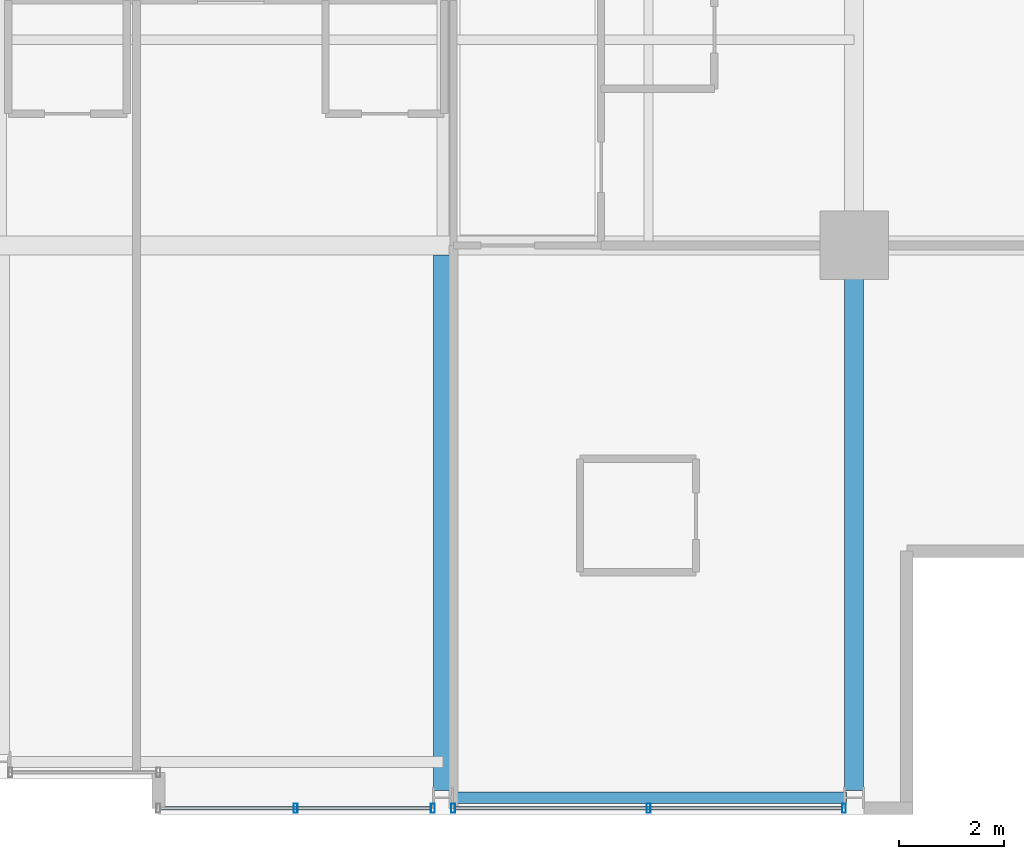
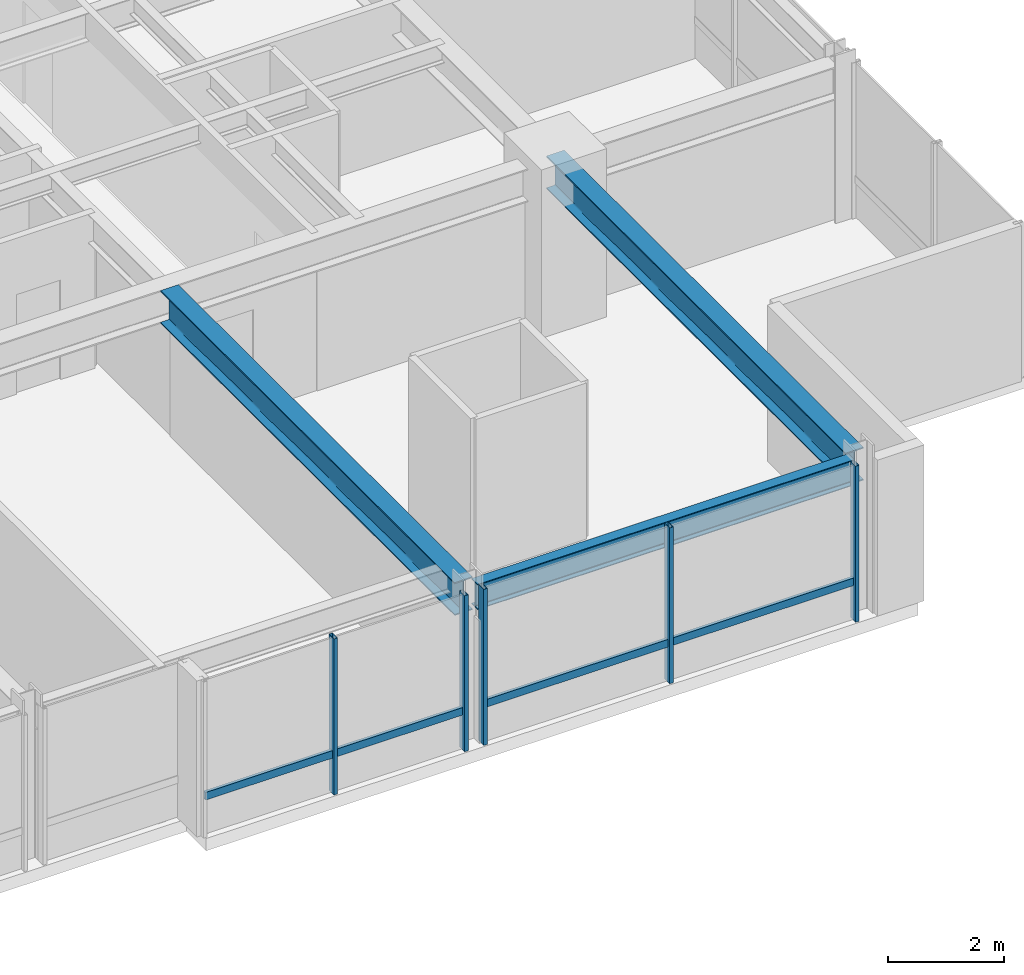
# One storey, part 11 of 33: 7 members, 3 beams, 2 elements without a shape of their own.
"""IFC4 building model written with IfcOpenShell, lengths in metres."""

import ifcopenshell
import ifcopenshell.guid

model = None  # the IFC model being written
_history = None  # IfcOwnerHistory: only IFC2X3 demands one
_inside = {}  # id of a spatial element -> (the spatial element, [elements in it])
_under = {}  # id of a project, library or spatial element -> (it, [spatial elements below it])
_declared = {}  # id of a project -> (the project, [libraries it declares])
_typed = {}  # id of a type object -> (the type object, [elements of that type])
_made_of = {}  # id of a material, layer set ... -> (it, [elements and type objects made of it])


def new_model(schema):
    """Start an empty IFC model of exactly this schema.

    Asked for "IFC4X3", IfcOpenShell would pick the latest addendum, in which some entities
    have other attributes; the version numbers below select the first issue.
    IFC2X3 requires an IfcOwnerHistory on every rooted entity: one is made here for all.
    """
    global model, _history
    if schema == "IFC4X3":
        model = ifcopenshell.file(schema_version=(4, 3, 0, 0))
    else:
        model = ifcopenshell.file(schema=schema)
    _inside.clear()
    _under.clear()
    _declared.clear()
    _typed.clear()
    _made_of.clear()
    _history = None
    if model.schema == "IFC2X3":
        org = make("IfcOrganization", Name="unknown")
        user = make(
            "IfcPersonAndOrganization",
            ThePerson=make("IfcPerson", FamilyName="unknown"),
            TheOrganization=org,
        )
        app = make(
            "IfcApplication",
            ApplicationDeveloper=org,
            Version="unknown",
            ApplicationFullName="unknown",
            ApplicationIdentifier="unknown",
        )
        _history = make(
            "IfcOwnerHistory",
            OwningUser=user,
            OwningApplication=app,
            ChangeAction="ADDED",
            CreationDate=0,
        )
    return model


def make(cls, **values):
    """One entity of the class cls with the attributes given. An attribute that is None is left unset."""
    return model.create_entity(
        cls, **{name: value for name, value in values.items() if value is not None}
    )


def rooted(cls, **values):
    """An entity with a GlobalId (a new one), such as an element, a storey or a relation."""
    return make(cls, GlobalId=ifcopenshell.guid.new(), OwnerHistory=_history, **values)


def si_unit(unit_type, name, prefix=None):
    """IfcSIUnit, for example si_unit("LENGTHUNIT", "METRE", prefix="MILLI")."""
    return make("IfcSIUnit", UnitType=unit_type, Prefix=prefix, Name=name)


def assignment(units):
    """IfcUnitAssignment: the units of a project."""
    return None if units is None else make("IfcUnitAssignment", Units=units)


def point(xyz):
    """IfcCartesianPoint."""
    return None if xyz is None else make("IfcCartesianPoint", Coordinates=xyz)


def direction(xyz):
    """IfcDirection."""
    return None if xyz is None else make("IfcDirection", DirectionRatios=xyz)


def frame(location, z_axis=None, x_axis=None):
    """IfcAxis2Placement3D, a coordinate frame: its origin and axes. An axis left out is left unset."""
    return make(
        "IfcAxis2Placement3D",
        Location=point(location),
        Axis=direction(z_axis),
        RefDirection=direction(x_axis),
    )


def frame_2d(location, x_axis=None):
    """IfcAxis2Placement2D, a coordinate frame in the plane: its origin and x axis."""
    return make(
        "IfcAxis2Placement2D", Location=point(location), RefDirection=direction(x_axis)
    )


def origin():
    """The frame at (0, 0, 0) with its axes left unset."""
    return frame((0.0, 0.0, 0.0))


def origin_2d():
    """The frame at (0, 0) in the plane with its x axis left unset."""
    return frame_2d((0.0, 0.0))


def place(relative_to, where):
    """IfcLocalPlacement: puts the frame where relative to a parent placement (None: the world)."""
    return make(
        "IfcLocalPlacement", PlacementRelTo=relative_to, RelativePlacement=where
    )


def context(
    kind, dimensions, precision=None, world=None, true_north=None, identifier=None
):
    """IfcGeometricRepresentationContext, for example the 3D "Model" context."""
    return make(
        "IfcGeometricRepresentationContext",
        ContextIdentifier=identifier,
        ContextType=kind,
        CoordinateSpaceDimension=dimensions,
        Precision=precision,
        WorldCoordinateSystem=world,
        TrueNorth=true_north,
    )


def subcontext(parent, identifier, kind, view, scale=None):
    """IfcGeometricRepresentationSubContext, for example "Body" below "Model"."""
    return make(
        "IfcGeometricRepresentationSubContext",
        ContextIdentifier=identifier,
        ContextType=kind,
        ParentContext=parent,
        TargetScale=scale,
        TargetView=view,
    )


def project(units=None, contexts=None):
    """IfcProject with its units and contexts."""
    return rooted(
        "IfcProject",
        Name="project",
        RepresentationContexts=contexts,
        UnitsInContext=assignment(units),
    )


def spatial(cls, under=None, at=None, **own):
    """A site, building, storey or space (cls), placed at a placement, below another one or the project."""
    s = rooted(cls, ObjectPlacement=at, **own)
    if under is not None:
        _under.setdefault(under.id(), (under, []))[1].append(s)
    return s


def profile(cls, at=None, kind="AREA", **sizes):
    """A parametric profile (cls). Its sizes go by their IFC names, for example OverallWidth=200.0."""
    return make(cls, ProfileType=kind, Position=at, **sizes)


def hollow_rectangle(**sizes):
    """IfcRectangleHollowProfileDef."""
    return profile("IfcRectangleHollowProfileDef", **sizes)


def i_section(**sizes):
    """IfcIShapeProfileDef."""
    return profile("IfcIShapeProfileDef", **sizes)


def extrude(swept, where, along, depth):
    """IfcExtrudedAreaSolid: the profile swept, set in the frame where, extruded along a direction by depth."""
    return make(
        "IfcExtrudedAreaSolid",
        SweptArea=swept,
        Position=where,
        ExtrudedDirection=direction(along),
        Depth=depth,
    )


def shape(context_of_items, identifier, shape_type, items):
    """IfcShapeRepresentation: the items that make up one representation, for example the "Body"."""
    return make(
        "IfcShapeRepresentation",
        ContextOfItems=context_of_items,
        RepresentationIdentifier=identifier,
        RepresentationType=shape_type,
        Items=items,
    )


def material(Name=None, Category=None):
    """IfcMaterial."""
    return make("IfcMaterial", Name=Name, Category=Category)


def layer(
    of_material, thickness, ventilated=None, Name=None, Category=None, Priority=None
):
    """IfcMaterialLayer: one layer of a wall or slab, of a material (None: an air gap)."""
    return make(
        "IfcMaterialLayer",
        Material=of_material,
        LayerThickness=thickness,
        IsVentilated=ventilated,
        Name=Name,
        Category=Category,
        Priority=Priority,
    )


def layer_set(layers, Name=None):
    """IfcMaterialLayerSet."""
    return make("IfcMaterialLayerSet", MaterialLayers=layers, LayerSetName=Name)


def material_profile(
    of_material, cross_section, Name=None, Category=None, Priority=None
):
    """IfcMaterialProfile: a cross section and its material."""
    return make(
        "IfcMaterialProfile",
        Name=Name,
        Material=of_material,
        Profile=cross_section,
        Priority=Priority,
        Category=Category,
    )


def profile_set(profiles, Name=None, composite=None):
    """IfcMaterialProfileSet."""
    return make(
        "IfcMaterialProfileSet",
        Name=Name,
        MaterialProfiles=profiles,
        CompositeProfile=composite,
    )


def made_of(thing, what):
    """Note that an element or type object is made of a material, layer set ...; save() writes the relation."""
    if what is not None:
        _made_of.setdefault(what.id(), (what, []))[1].append(thing)
    return thing


def type_object(cls, material=None, **own):
    """A type object (cls), such as IfcWallType, which elements share."""
    return made_of(rooted(cls, **own), material)


def element(
    cls,
    number,
    at=None,
    inside=None,
    cuts=None,
    type_object=None,
    material=None,
    context=None,
    identifier="Body",
    shape_type=None,
    held_by="IfcProductDefinitionShape",
    body=None,
    shapes=None,
    **own,
):
    """One element of the class cls, such as IfcWall. Its Tag is "e" and its number.

    at: its placement. inside: the storey or other place that contains it. cuts: it is an
    opening in that element (IfcRelVoidsElement). A single representation is given by context,
    identifier, shape_type and body (its items); several are given by shapes. held_by: the class
    of the entity that holds the representations. save() writes the other relations.
    """
    e = rooted(cls, Tag="e%d" % number, ObjectPlacement=at, **own)
    if body is not None:
        shapes = [shape(context, identifier, shape_type, body)]
    if shapes is not None:
        e.Representation = make(held_by, Representations=shapes)
    if inside is not None:
        _inside.setdefault(inside.id(), (inside, []))[1].append(e)
    if cuts is not None:
        rooted(
            "IfcRelVoidsElement", RelatingBuildingElement=cuts, RelatedOpeningElement=e
        )
    if type_object is not None:
        _typed.setdefault(type_object.id(), (type_object, []))[1].append(e)
    return made_of(e, material)


def aggregate(whole, parts):
    """IfcRelAggregates: a whole, such as a stair, and the parts it consists of."""
    return rooted("IfcRelAggregates", RelatingObject=whole, RelatedObjects=parts)


def save(model, path):
    """Write the relations noted so far, then the file.

    IfcRelAggregates (storeys below a building ...), IfcRelContainedInSpatialStructure (elements
    in a storey), IfcRelDefinesByType, IfcRelAssociatesMaterial and IfcRelDeclares: one each for
    every whole, place, type object, material and project.
    """
    for whole, parts in _under.values():
        aggregate(whole, parts)
    for where, things in _inside.values():
        rooted(
            "IfcRelContainedInSpatialStructure",
            RelatedElements=things,
            RelatingStructure=where,
        )
    for kind, things in _typed.values():
        rooted("IfcRelDefinesByType", RelatedObjects=things, RelatingType=kind)
    for what, things in _made_of.values():
        rooted("IfcRelAssociatesMaterial", RelatedObjects=things, RelatingMaterial=what)
    for by, libraries in _declared.values():
        rooted("IfcRelDeclares", RelatingContext=by, RelatedDefinitions=libraries)
    model.write(path)


model = new_model("IFC4")

# Units and contexts
model_context = context("Model", 3, precision=1e-05, world=origin(), true_north=direction((0.0, 1.0)))
body_context = subcontext(model_context, "Body", "Model", "MODEL_VIEW")
ifc_project = project(units=[si_unit("LENGTHUNIT", "METRE"), si_unit("AREAUNIT", "SQUARE_METRE"), si_unit("VOLUMEUNIT", "CUBIC_METRE"), si_unit("PLANEANGLEUNIT", "RADIAN"), si_unit("MASSUNIT", "GRAM", prefix="KILO")], contexts=[model_context])

# Site, building, storey
site_placement = place(None, origin())
site = spatial("IfcSite", under=ifc_project, at=site_placement, CompositionType="ELEMENT")
building_placement = place(site_placement, origin())
building = spatial("IfcBuilding", under=site, at=building_placement, Name="Drelvath Grand Hotel", CompositionType="ELEMENT")
storey_placement = place(building_placement, frame((0.0, 0.0, 178.800048828125)))
storey = spatial("IfcBuildingStorey", under=building, at=storey_placement, Name="L46", CompositionType="ELEMENT", Elevation=178.800048828125)

# Curtain wall, member
ifc_material_1 = material(Name="Brushed Pale-Silver Anodised Aluminium Frame", Category="aluminium")
ifc_layer = layer(ifc_material_1, 0.199951171875)
ifc_layer_set = layer_set([ifc_layer], Name="Brushed Pale-Silver Anodised Aluminium Frame")
curtain_wall_type = type_object("IfcCurtainWallType", Name="Stick Curtain Wall CW-04 Brushed Silver Upper-Mid", PredefinedType="NOTDEFINED", material=ifc_layer_set)
curtain_wall_1_placement = place(storey_placement, origin())
curtain_wall_1 = element("IfcCurtainWall", 1, at=curtain_wall_1_placement, inside=storey, type_object=curtain_wall_type, Name="L46 CW-04 Curtain Wall CW04-L46-SE1", PredefinedType="NOTDEFINED")
ifc_material_profile_1 = material_profile(ifc_material_1, hollow_rectangle(XDim=0.06494140625, YDim=0.159912109375, WallThickness=0.00390625, at=origin_2d()), Name="HSS160X65X4")
ifc_profile_set_1 = profile_set([ifc_material_profile_1], Name="Brushed Pale-Silver Anodised Aluminium Frame")
member_type_1 = type_object("IfcMemberType", Name="Curtain Wall Horizontal Transom CW-04 HSS160X65X4", PredefinedType="USERDEFINED", material=ifc_profile_set_1)
member_1_placement = place(storey_placement, frame((8.168212890625, 0.1201171875, 0.822509765625), z_axis=(-1.0, 0.0, 0.0), x_axis=(0.0, -1.0, 0.0)))
member_1 = element("IfcMember", 2, at=member_1_placement, type_object=member_type_1, Name="CW04-L46-SE1 Sill Transom", ObjectType="TRANSOM", PredefinedType="USERDEFINED", context=body_context, shape_type="SweptSolid", body=[
    extrude(hollow_rectangle(XDim=0.06494140625, YDim=0.159912109375, WallThickness=0.00390625, at=origin_2d()), origin(), (0.0, 0.0, 1.0), 5.128173828125),
])

curtain_wall_2_placement = place(storey_placement, origin())
curtain_wall_2 = element("IfcCurtainWall", 3, at=curtain_wall_2_placement, inside=storey, type_object=curtain_wall_type, Name="L46 CW-04 Curtain Wall CW04-L46-SE2", PredefinedType="NOTDEFINED")
member_2_placement = place(storey_placement, frame((15.968505859375, 0.1201171875, 0.822509765625), z_axis=(-1.0, 0.0, 0.0), x_axis=(0.0, -1.0, 0.0)))
member_2 = element("IfcMember", 4, at=member_2_placement, type_object=member_type_1, Name="CW04-L46-SE2 Sill Transom", ObjectType="TRANSOM", PredefinedType="USERDEFINED", context=body_context, shape_type="SweptSolid", body=[
    extrude(hollow_rectangle(XDim=0.06494140625, YDim=0.159912109375, WallThickness=0.00390625, at=origin_2d()), origin(), (0.0, 0.0, 1.0), 7.3369140625),
])

# Member
ifc_material_profile_2 = material_profile(ifc_material_1, hollow_rectangle(XDim=0.074951171875, YDim=0.179931640625, WallThickness=0.0048828125, at=origin_2d()), Name="HSS180X75X5")
ifc_profile_set_2 = profile_set([ifc_material_profile_2], Name="Brushed Pale-Silver Anodised Aluminium Frame")
member_type_2 = type_object("IfcMemberType", Name="Curtain Wall Vertical Mullion CW-04 HSS180X75X5", PredefinedType="MULLION", material=ifc_profile_set_2)
member_3_placement = place(storey_placement, frame((8.208251953125, 0.1201171875, 0.0), z_axis=(0.0, 0.0, 1.0), x_axis=(1.0, 0.0, 0.0)))
member_3 = element("IfcMember", 5, at=member_3_placement, type_object=member_type_2, Name="CW04-L46-SE1 Mullion 1", PredefinedType="MULLION", context=body_context, shape_type="SweptSolid", body=[
    extrude(hollow_rectangle(XDim=0.074951171875, YDim=0.179931640625, WallThickness=0.0048828125, at=origin_2d()), origin(), (0.0, 0.0, 1.0), 3.2900390625),
])

member_4_placement = place(storey_placement, frame((5.60400390625, 0.1201171875, 0.0), z_axis=(0.0, 0.0, 1.0), x_axis=(1.0, 0.0, 0.0)))
member_4 = element("IfcMember", 6, at=member_4_placement, type_object=member_type_2, Name="CW04-L46-SE1 Mullion 2", PredefinedType="MULLION", context=body_context, shape_type="SweptSolid", body=[
    extrude(hollow_rectangle(XDim=0.074951171875, YDim=0.179931640625, WallThickness=0.0048828125, at=origin_2d()), origin(), (0.0, 0.0, 1.0), 3.2900390625),
])

aggregate(curtain_wall_1, [member_3, member_4, member_1])

member_5_placement = place(storey_placement, frame((16.00830078125, 0.1201171875, 0.0), z_axis=(0.0, 0.0, 1.0), x_axis=(1.0, 0.0, 0.0)))
member_5 = element("IfcMember", 7, at=member_5_placement, type_object=member_type_2, Name="CW04-L46-SE2 Mullion 1", PredefinedType="MULLION", context=body_context, shape_type="SweptSolid", body=[
    extrude(hollow_rectangle(XDim=0.074951171875, YDim=0.179931640625, WallThickness=0.0048828125, at=origin_2d()), origin(), (0.0, 0.0, 1.0), 3.2900390625),
])

member_6_placement = place(storey_placement, frame((12.300048828125, 0.1201171875, 0.0), z_axis=(0.0, 0.0, 1.0), x_axis=(1.0, 0.0, 0.0)))
member_6 = element("IfcMember", 8, at=member_6_placement, type_object=member_type_2, Name="CW04-L46-SE2 Mullion 2", PredefinedType="MULLION", context=body_context, shape_type="SweptSolid", body=[
    extrude(hollow_rectangle(XDim=0.074951171875, YDim=0.179931640625, WallThickness=0.0048828125, at=origin_2d()), origin(), (0.0, 0.0, 1.0), 3.2900390625),
])

member_7_placement = place(storey_placement, frame((8.591796875, 0.1201171875, 0.0), z_axis=(0.0, 0.0, 1.0), x_axis=(1.0, 0.0, 0.0)))
member_7 = element("IfcMember", 9, at=member_7_placement, type_object=member_type_2, Name="CW04-L46-SE2 Mullion 3", PredefinedType="MULLION", context=body_context, shape_type="SweptSolid", body=[
    extrude(hollow_rectangle(XDim=0.074951171875, YDim=0.179931640625, WallThickness=0.0048828125, at=origin_2d()), origin(), (0.0, 0.0, 1.0), 3.2900390625),
])

aggregate(curtain_wall_2, [member_5, member_6, member_7, member_2])

# Beams
ifc_material_2 = material(Name="Steel ASTM A992 Gr 50", Category="steel")
ifc_material_profile_3 = material_profile(ifc_material_2, i_section(OverallWidth=0.210205078125, OverallDepth=0.53662109375, WebThickness=0.010986328125, FlangeThickness=0.017333984375, FilletRadius=0.01806640625, at=origin_2d()), Name="W21X68")
ifc_profile_set_3 = profile_set([ifc_material_profile_3], Name="Steel ASTM A992 Gr 50")
beam_type_1 = type_object("IfcBeamType", Name="Perimeter Spandrel Beam W21X68", PredefinedType="SPANDREL", material=ifc_profile_set_3)
beam_1_placement = place(storey_placement, frame((8.5400390625, 0.320068359375, 3.021728515625), z_axis=(1.0, 0.0, 0.0), x_axis=(0.0, 1.0, 0.0)))
element("IfcBeam", 10, at=beam_1_placement, inside=storey, type_object=beam_type_1, Name="L46 Spandrel South E", PredefinedType="SPANDREL", context=body_context, shape_type="SweptSolid", body=[
    extrude(i_section(OverallWidth=0.210205078125, OverallDepth=0.53662109375, WebThickness=0.010986328125, FlangeThickness=0.017333984375, FilletRadius=0.01806640625, at=origin_2d()), origin(), (0.0, 0.0, 1.0), 7.52001953125),
])
ifc_material_profile_4 = material_profile(ifc_material_2, i_section(OverallWidth=0.354736328125, OverallDepth=0.695556640625, WebThickness=0.015380859375, FlangeThickness=0.025146484375, FilletRadius=0.02392578125, at=origin_2d()), Name="W27X146")
ifc_profile_set_4 = profile_set([ifc_material_profile_4], Name="Steel ASTM A992 Gr 50")
beam_type_2 = type_object("IfcBeamType", Name="Primary Floor Girder W27X146", PredefinedType="BEAM", material=ifc_profile_set_4)
beam_2_placement = place(storey_placement, frame((16.199951171875, 0.4599609375, 2.942138671875), z_axis=(0.0, 1.0, 0.0), x_axis=(-1.0, 0.0, 0.0)))
element("IfcBeam", 11, at=beam_2_placement, inside=storey, type_object=beam_type_2, Name="L46 South Grid Girder 7", PredefinedType="BEAM", context=body_context, shape_type="SweptSolid", body=[
    extrude(i_section(OverallWidth=0.354736328125, OverallDepth=0.695556640625, WebThickness=0.015380859375, FlangeThickness=0.025146484375, FilletRadius=0.02392578125, at=origin_2d()), origin(), (0.0, 0.0, 1.0), 10.340087890625),
])
beam_3_placement = place(storey_placement, frame((8.39990234375, 0.4599609375, 2.942138671875), z_axis=(0.0, 1.0, 0.0), x_axis=(-1.0, 0.0, 0.0)))
element("IfcBeam", 12, at=beam_3_placement, inside=storey, type_object=beam_type_2, Name="L46 South Wing Girder 6", PredefinedType="BEAM", context=body_context, shape_type="SweptSolid", body=[
    extrude(i_section(OverallWidth=0.354736328125, OverallDepth=0.695556640625, WebThickness=0.015380859375, FlangeThickness=0.025146484375, FilletRadius=0.02392578125, at=origin_2d()), origin(), (0.0, 0.0, 1.0), 10.16259765625),
])

save(model, "model.ifc")
